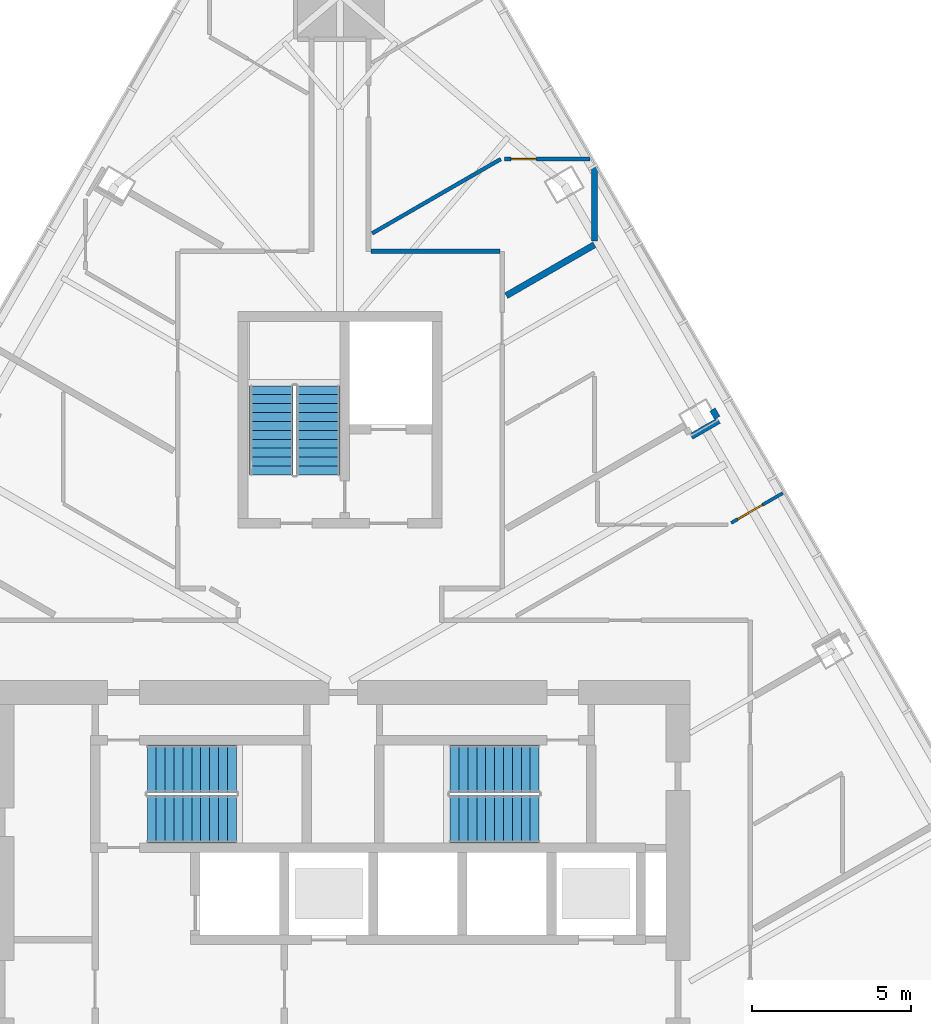
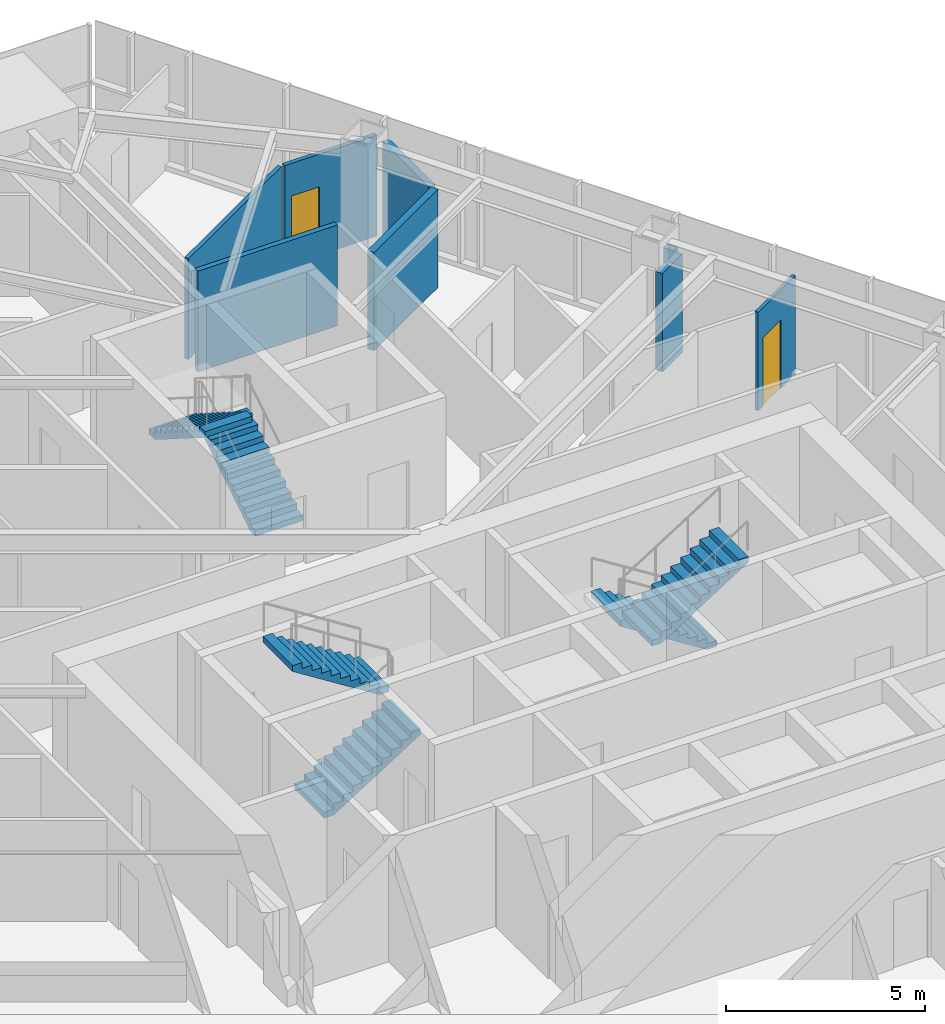
# One storey, part 18 of 20: 8 walls, 6 stair flights, 2 doors, 2 openings, 3 elements without a shape of their own.
"""IFC4 building model written with IfcOpenShell, lengths in metres."""

from ifc_helpers import new_model, si_unit, direction, frame, frame_2d, origin, place, context, subcontext, project, spatial, polyline, rectangle, outline, extrude, material, layer, layer_set, type_object, element, fill, aggregate, save


model = new_model("IFC4")

# Units and contexts
model_context = context("Model", 3, precision=1e-05, world=origin(), true_north=direction((0.0, 1.0)))
body_context = subcontext(model_context, "Body", "Model", "MODEL_VIEW")
ifc_project = project(units=[si_unit("LENGTHUNIT", "METRE"), si_unit("AREAUNIT", "SQUARE_METRE"), si_unit("VOLUMEUNIT", "CUBIC_METRE"), si_unit("PLANEANGLEUNIT", "RADIAN"), si_unit("MASSUNIT", "GRAM", prefix="KILO")], contexts=[model_context])

# Site, building, storey
site_placement = place(None, origin())
site = spatial("IfcSite", under=ifc_project, at=site_placement, CompositionType="ELEMENT")
building_placement = place(site_placement, origin())
building = spatial("IfcBuilding", under=site, at=building_placement, Name="Firuza Gate Tower and Library", CompositionType="ELEMENT")
storey_placement = place(building_placement, frame((0.0, 0.0, 214.300048828125)))
storey = spatial("IfcBuildingStorey", under=building, at=storey_placement, Name="L50", CompositionType="ELEMENT", Elevation=214.300048828125)

# Walls
ifc_material_1 = material(Name="Gypsum board partition")
ifc_layer_1 = layer(ifc_material_1, 0.14990234375)
ifc_layer_set_1 = layer_set([ifc_layer_1], Name="Corridor wall 150 double board on steel studs")
wall_type_1 = type_object("IfcWallType", Name="Corridor wall 150 double board on steel studs", PredefinedType="PARTITIONING", material=ifc_layer_set_1)
wall_1_placement = place(storey_placement, frame((75.97509765625, 96.5, 0.0), z_axis=(0.0, 0.0, 1.0), x_axis=(1.0, 0.0, 0.0)))
element("IfcWall", 1, at=wall_1_placement, inside=storey, type_object=wall_type_1, Name="f:L50:w015", PredefinedType="PARTITIONING", context=body_context, shape_type="SweptSolid", body=[
    extrude(rectangle(XDim=4.04931640625, YDim=0.14990234375, at=frame_2d((2.024658203125, 0.0))), origin(), (0.0, 0.0, 1.0), 3.099853515625),
])
ifc_material_2 = material(Name="Gypsum board partition")
ifc_layer_2 = layer(ifc_material_2, 0.199951171875)
ifc_layer_set_2 = layer_set([ifc_layer_2], Name="Demising wall 200 acoustic double stud")
wall_type_2 = type_object("IfcWallType", Name="Demising wall 200 acoustic double stud", PredefinedType="PARTITIONING", material=ifc_layer_set_2)
wall_2_placement = place(storey_placement, frame((86.04345703125, 90.67822265625, 0.0), z_axis=(0.0, 0.0, 1.0), x_axis=(0.866039090965, 0.499976292358, 0.0)))
element("IfcWall", 2, at=wall_2_placement, inside=storey, type_object=wall_type_2, Name="f:L50:w037", PredefinedType="PARTITIONING", context=body_context, shape_type="SweptSolid", body=[
    extrude(rectangle(XDim=0.9990234375, YDim=0.199951171875, at=frame_2d((0.49951171875, 0.0))), origin(), (0.0, 0.0, 1.0), 3.02197265625),
])
wall_3_placement = place(storey_placement, frame((80.22705078125, 95.10400390625, 0.0), z_axis=(0.0, 0.0, 1.0), x_axis=(0.866029421769, 0.499993040581, 0.0)))
element("IfcWall", 3, at=wall_3_placement, inside=storey, type_object=wall_type_2, Name="f:L50:w040", PredefinedType="PARTITIONING", context=body_context, shape_type="SweptSolid", body=[
    extrude(rectangle(XDim=3.2021484375, YDim=0.199951171875, at=frame_2d((1.60107421875, 0.0))), origin(), (0.0, 0.0, 1.0), 3.02197265625),
])
wall_4_placement = place(storey_placement, frame((83.0, 96.82080078125, 0.0), z_axis=(0.0, 0.0, 1.0), x_axis=(0.0, 1.0, 0.0)))
element("IfcWall", 4, at=wall_4_placement, inside=storey, type_object=wall_type_2, Name="f:L50:w061", PredefinedType="PARTITIONING", context=body_context, shape_type="SweptSolid", body=[
    extrude(rectangle(XDim=2.327880859375, YDim=0.199951171875, at=frame_2d((1.1640625, 0.0))), origin(), (0.0, 0.0, 1.0), 3.02197265625),
])
wall_5_placement = place(storey_placement, frame((86.858642578125, 91.264404296875, 0.0), z_axis=(0.0, 0.0, 1.0), x_axis=(-0.500264001326, 0.865872928886, 0.0)))
element("IfcWall", 5, at=wall_5_placement, inside=storey, type_object=wall_type_2, Name="f:L50:w089", PredefinedType="PARTITIONING", context=body_context, shape_type="SweptSolid", body=[
    extrude(rectangle(XDim=0.299072265625, YDim=0.199951171875, at=frame_2d((0.1494140625, 0.0))), origin(), (0.0, 0.0, 1.0), 3.099853515625),
])

# Wall, opening, door
ifc_material_3 = material(Name="Gypsum board partition")
ifc_layer_3 = layer(ifc_material_3, 0.10009765625)
ifc_layer_set_3 = layer_set([ifc_layer_3], Name="Partition 100 gypsum board on steel studs")
wall_type_3 = type_object("IfcWallType", Name="Partition 100 gypsum board on steel studs", PredefinedType="PARTITIONING", material=ifc_layer_set_3)
wall_6_placement = place(storey_placement, frame((87.30078125, 87.959716796875, 0.0), z_axis=(0.0, 0.0, 1.0), x_axis=(0.866000772924, 0.500042659475, 0.0)))
wall_6 = element("IfcWall", 6, at=wall_6_placement, inside=storey, type_object=wall_type_3, Name="f:L50:w035", PredefinedType="PARTITIONING", context=body_context, shape_type="SweptSolid", body=[
    extrude(rectangle(XDim=1.869873046875, YDim=0.10009765625, at=frame_2d((0.93505859375, 0.0))), origin(), (0.0, 0.0, 1.0), 3.02197265625),
])
opening_1_placement = place(wall_6_placement, frame((0.23486328125, 0.0, 0.0)))
opening_1 = element("IfcOpeningElement", 7, at=opening_1_placement, cuts=wall_6, Name="Opening L50-27", PredefinedType="OPENING", context=body_context, shape_type="SweptSolid", body=[
    extrude(rectangle(XDim=0.89990234375, YDim=2.10009765625, at=frame_2d((0.449951171875, 1.050048828125))), frame((0.0, 0.06005859375, 0.0), z_axis=(0.0, -1.0, 0.0), x_axis=(1.0, 0.0, 0.0)), (0.0, 0.0, 1.0), 0.1201171875),
])
ifc_material_4 = material(Name="Timber door", Category="wood")
door_type_1 = type_object("IfcDoorType", Name="Door 900 x 2100 timber leaf", OperationType="NOTDEFINED", PredefinedType="DOOR", material=ifc_material_4)
door_1_placement = place(opening_1_placement, origin())
door_1 = element("IfcDoor", 8, at=door_1_placement, inside=storey, type_object=door_type_1, Name="f:L50:d027", OperationType="SINGLE_SWING_LEFT", OverallHeight=2.10009765625, OverallWidth=0.89990234375, PredefinedType="DOOR", context=body_context, shape_type="SweptSolid", body=[
    extrude(rectangle(XDim=0.89990234375, YDim=2.10009765625, at=frame_2d((0.449951171875, 1.050048828125))), frame((0.0, 0.02490234375, 0.0), z_axis=(0.0, -1.0, 0.0), x_axis=(1.0, 0.0, 0.0)), (0.0, 0.0, 1.0), 0.050048828125),
])
fill(opening_1, door_1)

ifc_material_5 = material(Name="Gypsum board partition")
ifc_layer_4 = layer(ifc_material_5, 0.1201171875)
ifc_layer_set_4 = layer_set([ifc_layer_4], Name="Wet-area partition 120 moisture-resistant board")
wall_type_4 = type_object("IfcWallType", Name="Wet-area partition 120 moisture-resistant board", PredefinedType="PARTITIONING", material=ifc_layer_set_4)
wall_7_placement = place(storey_placement, frame((82.85498046875, 99.39990234375, 0.0), z_axis=(0.0, 0.0, 1.0), x_axis=(-1.0, 0.0, 0.0)))
wall_7 = element("IfcWall", 9, at=wall_7_placement, inside=storey, type_object=wall_type_4, Name="f:L50:w016", PredefinedType="PARTITIONING", context=body_context, shape_type="SweptSolid", body=[
    extrude(rectangle(XDim=2.677734375, YDim=0.1201171875, at=frame_2d((1.3388671875, 0.0))), origin(), (0.0, 0.0, 1.0), 3.099853515625),
])
opening_2_placement = place(wall_7_placement, frame((1.677490234375, 0.0, 0.0)))
opening_2 = element("IfcOpeningElement", 10, at=opening_2_placement, cuts=wall_7, Name="Opening L50-15", PredefinedType="OPENING", context=body_context, shape_type="SweptSolid", body=[
    extrude(rectangle(XDim=0.800048828125, YDim=2.10009765625, at=frame_2d((0.39990234375, 1.050048828125))), frame((0.0, 0.070068359375, 0.0), z_axis=(0.0, -1.0, 0.0), x_axis=(1.0, 0.0, 0.0)), (0.0, 0.0, 1.0), 0.14013671875),
])
ifc_material_6 = material(Name="Timber door", Category="wood")
door_type_2 = type_object("IfcDoorType", Name="Door 800 x 2100 timber leaf", OperationType="NOTDEFINED", PredefinedType="DOOR", material=ifc_material_6)
door_2_placement = place(opening_2_placement, origin())
door_2 = element("IfcDoor", 11, at=door_2_placement, inside=storey, type_object=door_type_2, Name="f:L50:d015", OperationType="SINGLE_SWING_LEFT", OverallHeight=2.10009765625, OverallWidth=0.800048828125, PredefinedType="DOOR", context=body_context, shape_type="SweptSolid", body=[
    extrude(rectangle(XDim=0.800048828125, YDim=2.10009765625, at=frame_2d((0.39990234375, 1.050048828125))), frame((0.0, 0.02490234375, 0.0), z_axis=(0.0, -1.0, 0.0), x_axis=(1.0, 0.0, 0.0)), (0.0, 0.0, 1.0), 0.050048828125),
])
fill(opening_2, door_2)

# Wall
wall_8_placement = place(storey_placement, frame((76.009765625, 97.06298828125, 0.0), z_axis=(0.0, 0.0, 1.0), x_axis=(0.866045536992, 0.499965126639, 0.0)))
element("IfcWall", 12, at=wall_8_placement, inside=storey, type_object=wall_type_4, Name="f:L50:w041", PredefinedType="PARTITIONING", context=body_context, shape_type="SweptSolid", body=[
    extrude(rectangle(XDim=4.673583984375, YDim=0.1201171875, at=frame_2d((2.3369140625, 0.0))), origin(), (0.0, 0.0, 1.0), 3.099853515625),
])

# Stair, stair flights
ifc_material_7 = material(Name="Concrete C35/45", Category="concrete")
stair_type_1 = type_object("IfcStairType", Name="Exit stair ST16", PredefinedType="HALF_TURN_STAIR", material=ifc_material_7)
placement = place(storey_placement, origin())
stair_1 = element("IfcStair", 13, at=placement, inside=storey, type_object=stair_type_1, Name="L50 Stair ST3", PredefinedType="HALF_TURN_STAIR")
ifc_material_8 = material(Name="Concrete C35/45", Category="concrete")
stair_flight_type_1 = type_object("IfcStairFlightType", Name="Stair flight 11 risers 177.3 width 1370", PredefinedType="STRAIGHT", material=ifc_material_8)
stair_flight_1_placement = place(storey_placement, frame((74.31494140625, 89.469970703125, 0.0), z_axis=(0.0, 0.0, 1.0), x_axis=(0.0, 1.0, 0.0)))
stair_flight_1 = element("IfcStairFlight", 14, at=stair_flight_1_placement, type_object=stair_flight_type_1, Name="ST3 flight 1", NumberOfRisers=11, NumberOfTreads=10, PredefinedType="STRAIGHT", RiserHeight=0.177272727, TreadLength=0.28, context=body_context, shape_type="SweptSolid", body=[
    extrude(outline(polyline([(0.0, 0.0), (0.0, 0.17724609375), (0.280029296875, 0.17724609375), (0.280029296875, 0.3544921875), (0.56005859375, 0.3544921875), (0.56005859375, 0.53173828125), (0.840087890625, 0.53173828125), (0.840087890625, 0.708984375), (1.1201171875, 0.708984375), (1.1201171875, 0.886474609375), (1.39990234375, 0.886474609375), (1.39990234375, 1.063720703125), (1.679931640625, 1.063720703125), (1.679931640625, 1.240966796875), (1.9599609375, 1.240966796875), (1.9599609375, 1.418212890625), (2.239990234375, 1.418212890625), (2.239990234375, 1.595458984375), (2.52001953125, 1.595458984375), (2.52001953125, 1.772705078125), (2.800048828125, 1.772705078125), (2.800048828125, 1.949951171875), (2.800048828125, 1.59521484375), (0.2802734375, 0.0), (0.0, 0.0)])), frame((0.0, 0.68505859375, 0.0), z_axis=(0.0, -1.0, 0.0), x_axis=(1.0, 0.0, 0.0)), (0.0, 0.0, 1.0), 1.3701171875),
])
stair_flight_2_placement = place(storey_placement, frame((72.844970703125, 92.27001953125, 1.949951171875), z_axis=(0.0, 0.0, 1.0), x_axis=(0.0, -1.0, 0.0)))
stair_flight_2 = element("IfcStairFlight", 15, at=stair_flight_2_placement, type_object=stair_flight_type_1, Name="ST3 flight 2", NumberOfRisers=11, NumberOfTreads=10, PredefinedType="STRAIGHT", RiserHeight=0.177272727, TreadLength=0.28, context=body_context, shape_type="SweptSolid", body=[
    extrude(outline(polyline([(0.0, 0.0), (0.0, 0.17724609375), (0.280029296875, 0.17724609375), (0.280029296875, 0.3544921875), (0.56005859375, 0.3544921875), (0.56005859375, 0.53173828125), (0.840087890625, 0.53173828125), (0.840087890625, 0.708984375), (1.1201171875, 0.708984375), (1.1201171875, 0.886474609375), (1.39990234375, 0.886474609375), (1.39990234375, 1.063720703125), (1.679931640625, 1.063720703125), (1.679931640625, 1.240966796875), (1.9599609375, 1.240966796875), (1.9599609375, 1.418212890625), (2.239990234375, 1.418212890625), (2.239990234375, 1.595458984375), (2.52001953125, 1.595458984375), (2.52001953125, 1.772705078125), (2.800048828125, 1.772705078125), (2.800048828125, 1.949951171875), (2.800048828125, 1.59521484375), (0.2802734375, 0.0), (0.0, 0.0)])), frame((0.0, 0.68505859375, 0.0), z_axis=(0.0, -1.0, 0.0), x_axis=(1.0, 0.0, 0.0)), (0.0, 0.0, 1.0), 1.3701171875),
])
aggregate(stair_1, [stair_flight_1, stair_flight_2])

ifc_material_9 = material(Name="Concrete C35/45", Category="concrete")
stair_type_2 = type_object("IfcStairType", Name="Exit stair ST7", PredefinedType="HALF_TURN_STAIR", material=ifc_material_9)
stair_2 = element("IfcStair", 16, at=placement, inside=storey, type_object=stair_type_2, Name="L50 Stair ST1", PredefinedType="HALF_TURN_STAIR")
ifc_material_10 = material(Name="Concrete C35/45", Category="concrete")
stair_flight_type_2 = type_object("IfcStairFlightType", Name="Stair flight 11 risers 177.3 width 1490", PredefinedType="STRAIGHT", material=ifc_material_10)
stair_flight_3_placement = place(storey_placement, frame((68.93994140625, 78.64501953125, 0.0), z_axis=(0.0, 0.0, 1.0), x_axis=(1.0, 0.0, 0.0)))
stair_flight_3 = element("IfcStairFlight", 17, at=stair_flight_3_placement, type_object=stair_flight_type_2, Name="ST1 flight 1", NumberOfRisers=11, NumberOfTreads=10, PredefinedType="STRAIGHT", RiserHeight=0.177272727, TreadLength=0.28, context=body_context, shape_type="SweptSolid", body=[
    extrude(outline(polyline([(0.0, 0.0), (0.0, 0.17724609375), (0.280029296875, 0.17724609375), (0.280029296875, 0.3544921875), (0.56005859375, 0.3544921875), (0.56005859375, 0.53173828125), (0.840087890625, 0.53173828125), (0.840087890625, 0.708984375), (1.1201171875, 0.708984375), (1.1201171875, 0.886474609375), (1.39990234375, 0.886474609375), (1.39990234375, 1.063720703125), (1.679931640625, 1.063720703125), (1.679931640625, 1.240966796875), (1.9599609375, 1.240966796875), (1.9599609375, 1.418212890625), (2.239990234375, 1.418212890625), (2.239990234375, 1.595458984375), (2.52001953125, 1.595458984375), (2.52001953125, 1.772705078125), (2.800048828125, 1.772705078125), (2.800048828125, 1.949951171875), (2.800048828125, 1.59521484375), (0.2802734375, 0.0), (0.0, 0.0)])), frame((0.0, 0.7451171875, 0.0), z_axis=(0.0, -1.0, 0.0), x_axis=(1.0, 0.0, 0.0)), (0.0, 0.0, 1.0), 1.489990234375),
])
stair_flight_4_placement = place(storey_placement, frame((71.739990234375, 80.235107421875, 1.949951171875), z_axis=(0.0, 0.0, 1.0), x_axis=(-1.0, 0.0, 0.0)))
stair_flight_4 = element("IfcStairFlight", 18, at=stair_flight_4_placement, type_object=stair_flight_type_2, Name="ST1 flight 2", NumberOfRisers=11, NumberOfTreads=10, PredefinedType="STRAIGHT", RiserHeight=0.177272727, TreadLength=0.28, context=body_context, shape_type="SweptSolid", body=[
    extrude(outline(polyline([(0.0, 0.0), (0.0, 0.17724609375), (0.280029296875, 0.17724609375), (0.280029296875, 0.3544921875), (0.56005859375, 0.3544921875), (0.56005859375, 0.53173828125), (0.840087890625, 0.53173828125), (0.840087890625, 0.708984375), (1.1201171875, 0.708984375), (1.1201171875, 0.886474609375), (1.39990234375, 0.886474609375), (1.39990234375, 1.063720703125), (1.679931640625, 1.063720703125), (1.679931640625, 1.240966796875), (1.9599609375, 1.240966796875), (1.9599609375, 1.418212890625), (2.239990234375, 1.418212890625), (2.239990234375, 1.595458984375), (2.52001953125, 1.595458984375), (2.52001953125, 1.772705078125), (2.800048828125, 1.772705078125), (2.800048828125, 1.949951171875), (2.800048828125, 1.59521484375), (0.2802734375, 0.0), (0.0, 0.0)])), frame((0.0, 0.7451171875, 0.0), z_axis=(0.0, -1.0, 0.0), x_axis=(1.0, 0.0, 0.0)), (0.0, 0.0, 1.0), 1.489990234375),
])
aggregate(stair_2, [stair_flight_3, stair_flight_4])

stair_3 = element("IfcStair", 19, at=placement, inside=storey, type_object=stair_type_2, Name="L50 Stair ST2", PredefinedType="HALF_TURN_STAIR")
stair_flight_5_placement = place(storey_placement, frame((81.260009765625, 80.235107421875, 0.0), z_axis=(0.0, 0.0, 1.0), x_axis=(-1.0, 0.0, 0.0)))
stair_flight_5 = element("IfcStairFlight", 20, at=stair_flight_5_placement, type_object=stair_flight_type_2, Name="ST2 flight 1", NumberOfRisers=11, NumberOfTreads=10, PredefinedType="STRAIGHT", RiserHeight=0.177272727, TreadLength=0.28, context=body_context, shape_type="SweptSolid", body=[
    extrude(outline(polyline([(0.0, 0.0), (0.0, 0.17724609375), (0.280029296875, 0.17724609375), (0.280029296875, 0.3544921875), (0.56005859375, 0.3544921875), (0.56005859375, 0.53173828125), (0.840087890625, 0.53173828125), (0.840087890625, 0.708984375), (1.1201171875, 0.708984375), (1.1201171875, 0.886474609375), (1.39990234375, 0.886474609375), (1.39990234375, 1.063720703125), (1.679931640625, 1.063720703125), (1.679931640625, 1.240966796875), (1.9599609375, 1.240966796875), (1.9599609375, 1.418212890625), (2.239990234375, 1.418212890625), (2.239990234375, 1.595458984375), (2.52001953125, 1.595458984375), (2.52001953125, 1.772705078125), (2.800048828125, 1.772705078125), (2.800048828125, 1.949951171875), (2.800048828125, 1.59521484375), (0.2802734375, 0.0), (0.0, 0.0)])), frame((0.0, 0.7451171875, 0.0), z_axis=(0.0, -1.0, 0.0), x_axis=(1.0, 0.0, 0.0)), (0.0, 0.0, 1.0), 1.489990234375),
])
stair_flight_6_placement = place(storey_placement, frame((78.4599609375, 78.64501953125, 1.949951171875), z_axis=(0.0, 0.0, 1.0), x_axis=(1.0, 0.0, 0.0)))
stair_flight_6 = element("IfcStairFlight", 21, at=stair_flight_6_placement, type_object=stair_flight_type_2, Name="ST2 flight 2", NumberOfRisers=11, NumberOfTreads=10, PredefinedType="STRAIGHT", RiserHeight=0.177272727, TreadLength=0.28, context=body_context, shape_type="SweptSolid", body=[
    extrude(outline(polyline([(0.0, 0.0), (0.0, 0.17724609375), (0.280029296875, 0.17724609375), (0.280029296875, 0.3544921875), (0.56005859375, 0.3544921875), (0.56005859375, 0.53173828125), (0.840087890625, 0.53173828125), (0.840087890625, 0.708984375), (1.1201171875, 0.708984375), (1.1201171875, 0.886474609375), (1.39990234375, 0.886474609375), (1.39990234375, 1.063720703125), (1.679931640625, 1.063720703125), (1.679931640625, 1.240966796875), (1.9599609375, 1.240966796875), (1.9599609375, 1.418212890625), (2.239990234375, 1.418212890625), (2.239990234375, 1.595458984375), (2.52001953125, 1.595458984375), (2.52001953125, 1.772705078125), (2.800048828125, 1.772705078125), (2.800048828125, 1.949951171875), (2.800048828125, 1.59521484375), (0.2802734375, 0.0), (0.0, 0.0)])), frame((0.0, 0.7451171875, 0.0), z_axis=(0.0, -1.0, 0.0), x_axis=(1.0, 0.0, 0.0)), (0.0, 0.0, 1.0), 1.489990234375),
])
aggregate(stair_3, [stair_flight_5, stair_flight_6])

save(model, "model.ifc")
